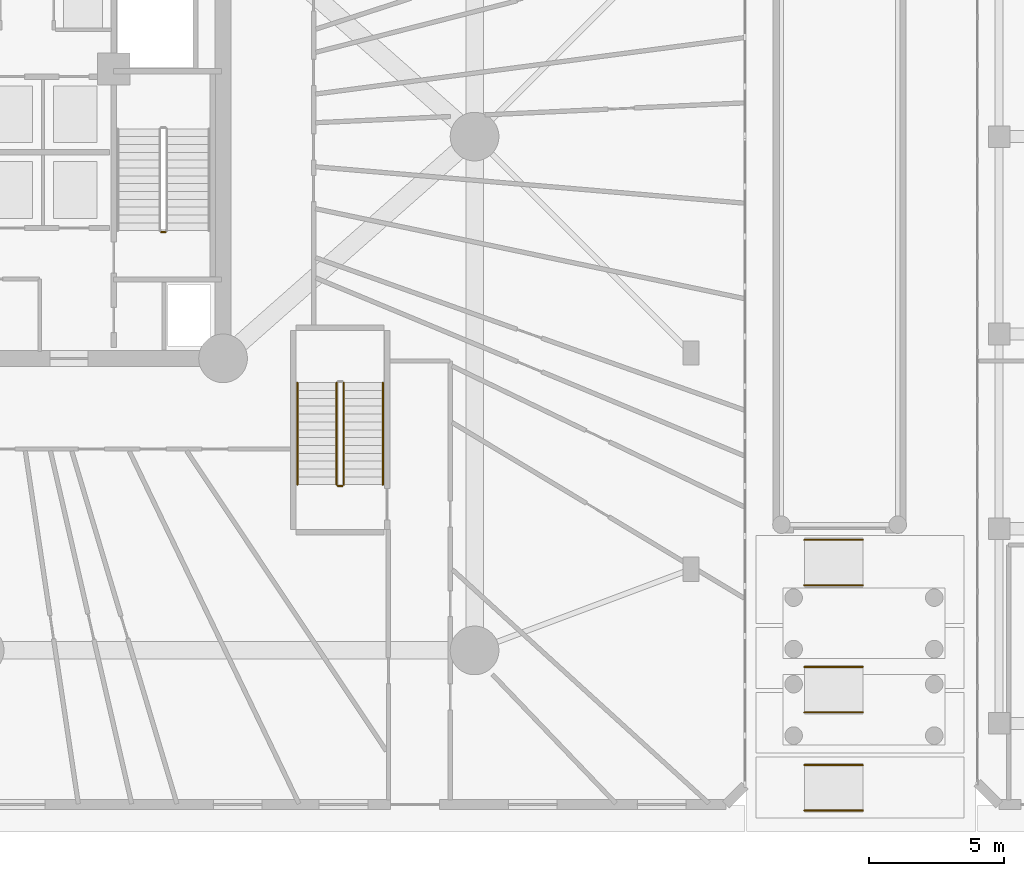
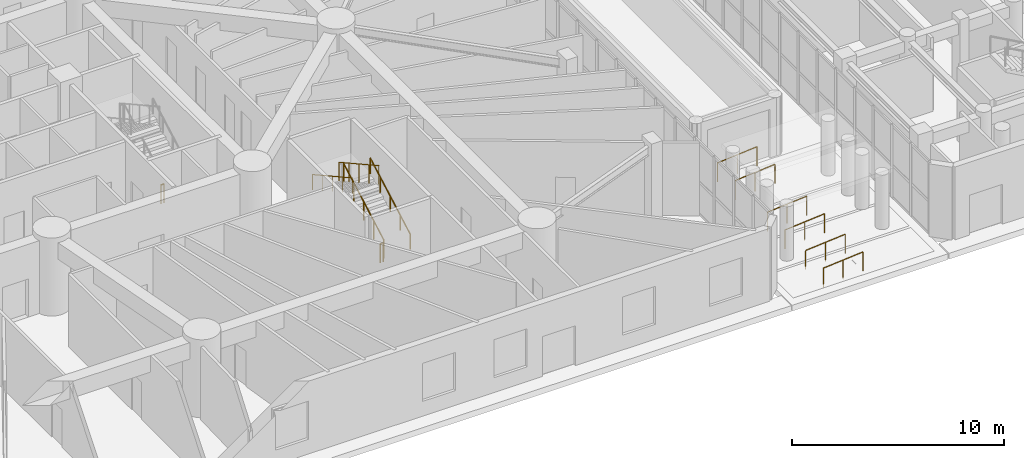
# One storey, part 24 of 30: 12 railings.
"""IFC4 building model written with IfcOpenShell, lengths in metres."""

from ifc_helpers import new_model, si_unit, direction, frame, origin, origin_2d, place, context, subcontext, project, spatial, circle, extrude, material, layer, layer_set, type_object, element, save


model = new_model("IFC4")

# Units and contexts
model_context = context("Model", 3, precision=1e-05, world=origin(), true_north=direction((0.0, 1.0)))
body_context = subcontext(model_context, "Body", "Model", "MODEL_VIEW")
ifc_project = project(units=[si_unit("LENGTHUNIT", "METRE"), si_unit("AREAUNIT", "SQUARE_METRE"), si_unit("VOLUMEUNIT", "CUBIC_METRE"), si_unit("PLANEANGLEUNIT", "RADIAN"), si_unit("MASSUNIT", "GRAM", prefix="KILO")], contexts=[model_context])

# Site, building, storey
site_placement = place(None, origin())
site = spatial("IfcSite", under=ifc_project, at=site_placement, CompositionType="ELEMENT")
building_placement = place(site_placement, origin())
building = spatial("IfcBuilding", under=site, at=building_placement, Name="Karkom Vertical University and Central Library", CompositionType="ELEMENT")
storey_placement = place(building_placement, origin())
storey = spatial("IfcBuildingStorey", under=building, at=storey_placement, Name="L00", CompositionType="ELEMENT", Elevation=0.0)

# Railings
ifc_material_1 = material(Name="Painted galvanised steel balustrade", Category="steel")
ifc_layer_1 = layer(ifc_material_1, 0.06005859375)
ifc_layer_set_1 = layer_set([ifc_layer_1], Name="Painted galvanised steel balustrade")
railing_type_1 = type_object("IfcRailingType", Name="INT-RL-GUARD1100", PredefinedType="GUARDRAIL", material=ifc_layer_set_1)
railing_1_placement = place(storey_placement, frame((35.3701171875, 22.969970703125, 0.0)))
element("IfcRailing", 1, at=railing_1_placement, inside=storey, type_object=railing_type_1, Name="Level 00 ST-2 stair guard 4", PredefinedType="GUARDRAIL", context=body_context, shape_type="SweptSolid", body=[
    extrude(circle(Radius=0.02392578125, at=origin_2d()), frame((0.0, 0.0, 1.076171875), z_axis=(-1.0, 0.0, 0.0), x_axis=(0.0, -1.0, 0.0)), (0.0, 0.0, 1.0), 0.16015625),
    extrude(circle(Radius=0.02099609375, at=origin_2d()), origin(), (0.0, 0.0, 1.0), 1.052001953125),
    extrude(circle(Radius=0.02099609375, at=origin_2d()), frame((-0.16015625, 0.0, 0.0)), (0.0, 0.0, 1.0), 1.052001953125),
])
railing_2_placement = place(storey_placement, frame((41.9599609375, 13.6298828125, 0.16064453125)))
element("IfcRailing", 2, at=railing_2_placement, inside=storey, type_object=railing_type_1, Name="Level 00 POD-ST1 stair guard 1", PredefinedType="GUARDRAIL", context=body_context, shape_type="SweptSolid", body=[
    extrude(circle(Radius=0.02392578125, at=origin_2d()), frame((0.0, 0.0, 1.076171875), z_axis=(0.0, 0.874659101714, 0.484738543742), x_axis=(-1.0, 0.0, 0.0)), (0.0, 0.0, 1.0), 4.310302734375),
    extrude(circle(Radius=0.02099609375, at=origin_2d()), origin(), (0.0, 0.0, 1.0), 1.052001953125),
    extrude(circle(Radius=0.02099609375, at=origin_2d()), frame((0.0, 0.9423828125, 0.5224609375)), (0.0, 0.0, 1.0), 1.052001953125),
    extrude(circle(Radius=0.02099609375, at=origin_2d()), frame((0.0, 1.885009765625, 1.044677734375)), (0.0, 0.0, 1.0), 1.052001953125),
    extrude(circle(Radius=0.02099609375, at=origin_2d()), frame((0.0, 2.82763671875, 1.56689453125)), (0.0, 0.0, 1.0), 1.052001953125),
    extrude(circle(Radius=0.02099609375, at=origin_2d()), frame((0.0, 3.77001953125, 2.08935546875)), (0.0, 0.0, 1.0), 1.052001953125),
])
railing_3_placement = place(storey_placement, frame((41.699951171875, 17.39990234375, 2.41064453125)))
element("IfcRailing", 3, at=railing_3_placement, inside=storey, type_object=railing_type_1, Name="Level 00 POD-ST1 stair guard 3", PredefinedType="GUARDRAIL", context=body_context, shape_type="SweptSolid", body=[
    extrude(circle(Radius=0.02392578125, at=origin_2d()), frame((0.0, 0.0, 1.076171875), z_axis=(0.0, -0.874659101714, 0.484738543742), x_axis=(1.0, 0.0, 0.0)), (0.0, 0.0, 1.0), 4.310302734375),
    extrude(circle(Radius=0.02099609375, at=origin_2d()), origin(), (0.0, 0.0, 1.0), 1.052001953125),
    extrude(circle(Radius=0.02099609375, at=origin_2d()), frame((0.0, -0.9423828125, 0.5224609375)), (0.0, 0.0, 1.0), 1.052001953125),
    extrude(circle(Radius=0.02099609375, at=origin_2d()), frame((0.0, -1.885009765625, 1.044677734375)), (0.0, 0.0, 1.0), 1.052001953125),
    extrude(circle(Radius=0.02099609375, at=origin_2d()), frame((0.0, -2.82763671875, 1.56689453125)), (0.0, 0.0, 1.0), 1.052001953125),
    extrude(circle(Radius=0.02099609375, at=origin_2d()), frame((0.0, -3.77001953125, 2.08935546875)), (0.0, 0.0, 1.0), 1.052001953125),
])
railing_4_placement = place(storey_placement, frame((41.909912109375, 13.580078125, 0.0)))
element("IfcRailing", 4, at=railing_4_placement, inside=storey, type_object=railing_type_1, Name="Level 00 POD-ST1 stair guard 4", PredefinedType="GUARDRAIL", context=body_context, shape_type="SweptSolid", body=[
    extrude(circle(Radius=0.02392578125, at=origin_2d()), frame((0.0, 0.0, 1.076171875), z_axis=(-1.0, 0.0, 0.0), x_axis=(0.0, -1.0, 0.0)), (0.0, 0.0, 1.0), 0.159912109375),
    extrude(circle(Radius=0.02099609375, at=origin_2d()), origin(), (0.0, 0.0, 1.0), 1.052001953125),
    extrude(circle(Radius=0.02099609375, at=origin_2d()), frame((-0.159912109375, 0.0, 0.0)), (0.0, 0.0, 1.0), 1.052001953125),
])
for number, where, name in (
    (5, (59.0, 9.909912109375, -0.179931640625), "Level 00 Accessible Ramp Guardrail L00-PRMP-1 A"),
    (6, (59.0, 11.590087890625, -0.179931640625), "Level 00 Accessible Ramp Guardrail L00-PRMP-1 B"),
    (7, (59.0, 5.2099609375, -0.179931640625), "Level 00 Accessible Ramp Guardrail L00-PRMP-2 A"),
    (8, (59.0, 6.889892578125, -0.179931640625), "Level 00 Accessible Ramp Guardrail L00-PRMP-2 B"),
    (9, (59.0, 1.580078125, -0.179931640625), "Level 00 Accessible Ramp Guardrail L00-PRMP-5 A"),
    (10, (59.0, 3.260009765625, -0.179931640625), "Level 00 Accessible Ramp Guardrail L00-PRMP-5 B"),
):
    element("IfcRailing", number, at=place(storey_placement, frame(where)), inside=storey, type_object=railing_type_1, Name=name, PredefinedType="GUARDRAIL", context=body_context, shape_type="SweptSolid", body=[
        extrude(circle(Radius=0.02392578125, at=origin_2d()), frame((0.0, 0.0, 1.09619140625), z_axis=(0.996548088387, 0.0, 0.08301751341), x_axis=(0.0, 1.0, 0.0)), (0.0, 0.0, 1.0), 2.16748046875),
        extrude(circle(Radius=0.02099609375, at=origin_2d()), origin(), (0.0, 0.0, 1.0), 1.072021484375),
        extrude(circle(Radius=0.02099609375, at=origin_2d()), frame((1.080078125, 0.0, 0.08984375)), (0.0, 0.0, 1.0), 1.072021484375),
        extrude(circle(Radius=0.02099609375, at=origin_2d()), frame((2.159912109375, 0.0, 0.179931640625)), (0.0, 0.0, 1.0), 1.072021484375),
    ])
ifc_material_2 = material(Name="Brushed stainless-steel tubular handrail", Category="steel")
ifc_layer_2 = layer(ifc_material_2, 0.048095703125)
ifc_layer_set_2 = layer_set([ifc_layer_2], Name="Brushed stainless-steel tubular handrail")
railing_type_2 = type_object("IfcRailingType", Name="INT-RL-HAND920", PredefinedType="HANDRAIL", material=ifc_layer_set_2)
railing_5_placement = place(storey_placement, frame((43.409912109375, 13.6298828125, 0.16064453125)))
element("IfcRailing", 11, at=railing_5_placement, inside=storey, type_object=railing_type_2, Name="Level 00 POD-ST1 stair handrail 1", PredefinedType="HANDRAIL", context=body_context, shape_type="SweptSolid", body=[
    extrude(circle(Radius=0.02392578125, at=origin_2d()), frame((0.0, 0.0, 0.8759765625), z_axis=(0.0, 0.874659101714, 0.484738543742), x_axis=(-1.0, 0.0, 0.0)), (0.0, 0.0, 1.0), 4.310302734375),
    extrude(circle(Radius=0.02099609375, at=origin_2d()), origin(), (0.0, 0.0, 1.0), 0.851806640625),
    extrude(circle(Radius=0.02099609375, at=origin_2d()), frame((0.0, 0.9423828125, 0.5224609375)), (0.0, 0.0, 1.0), 0.851806640625),
    extrude(circle(Radius=0.02099609375, at=origin_2d()), frame((0.0, 1.885009765625, 1.044677734375)), (0.0, 0.0, 1.0), 0.851806640625),
    extrude(circle(Radius=0.02099609375, at=origin_2d()), frame((0.0, 2.82763671875, 1.56689453125)), (0.0, 0.0, 1.0), 0.851806640625),
    extrude(circle(Radius=0.02099609375, at=origin_2d()), frame((0.0, 3.77001953125, 2.08935546875)), (0.0, 0.0, 1.0), 0.851806640625),
])
railing_6_placement = place(storey_placement, frame((40.25, 17.39990234375, 2.41064453125)))
element("IfcRailing", 12, at=railing_6_placement, inside=storey, type_object=railing_type_2, Name="Level 00 POD-ST1 stair handrail 2", PredefinedType="HANDRAIL", context=body_context, shape_type="SweptSolid", body=[
    extrude(circle(Radius=0.02392578125, at=origin_2d()), frame((0.0, 0.0, 0.8759765625), z_axis=(0.0, -0.874659101714, 0.484738543742), x_axis=(1.0, 0.0, 0.0)), (0.0, 0.0, 1.0), 4.310302734375),
    extrude(circle(Radius=0.02099609375, at=origin_2d()), origin(), (0.0, 0.0, 1.0), 0.851806640625),
    extrude(circle(Radius=0.02099609375, at=origin_2d()), frame((0.0, -0.9423828125, 0.5224609375)), (0.0, 0.0, 1.0), 0.851806640625),
    extrude(circle(Radius=0.02099609375, at=origin_2d()), frame((0.0, -1.885009765625, 1.044677734375)), (0.0, 0.0, 1.0), 0.851806640625),
    extrude(circle(Radius=0.02099609375, at=origin_2d()), frame((0.0, -2.82763671875, 1.56689453125)), (0.0, 0.0, 1.0), 0.851806640625),
    extrude(circle(Radius=0.02099609375, at=origin_2d()), frame((0.0, -3.77001953125, 2.08935546875)), (0.0, 0.0, 1.0), 0.851806640625),
])

save(model, "model.ifc")
